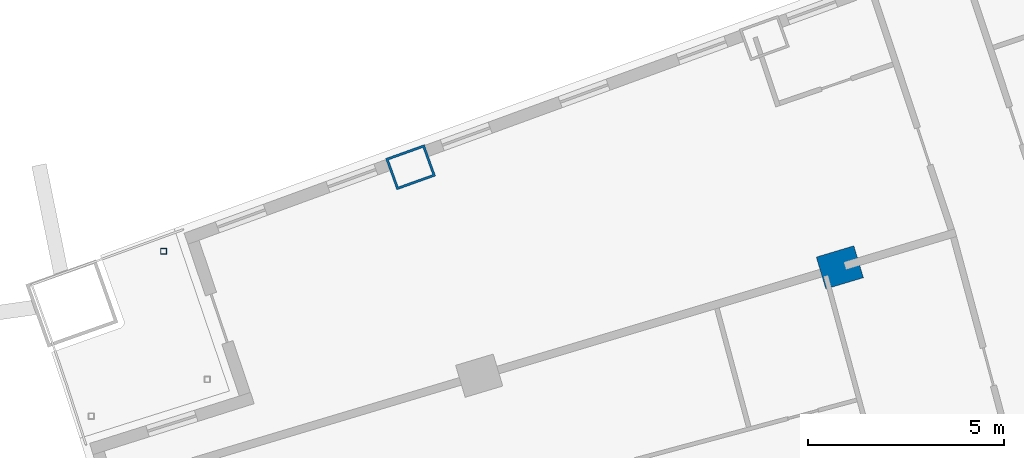
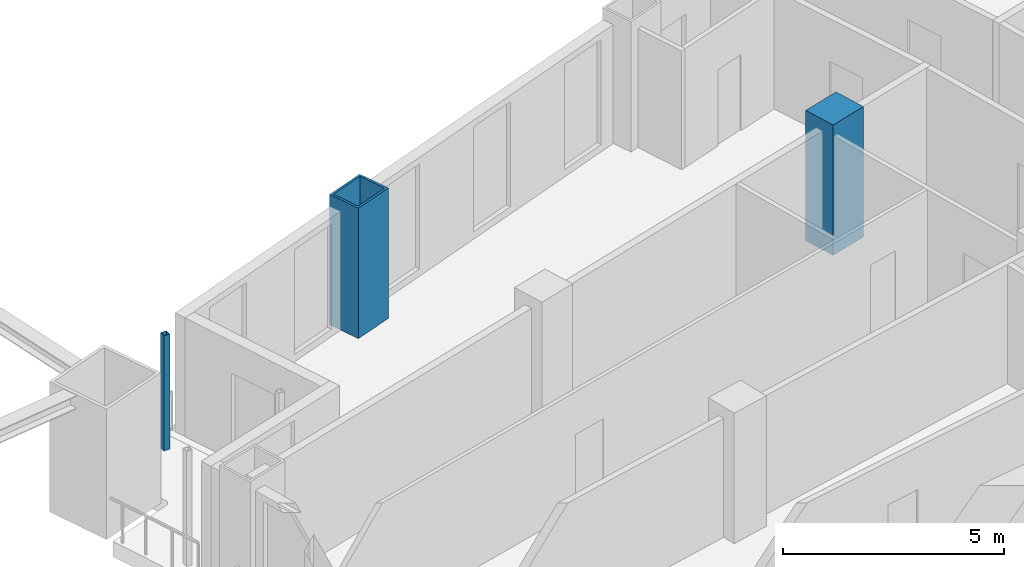
# One storey, part 9 of 25: 3 columns.
"""IFC4 building model written with IfcOpenShell, lengths in metres."""

import ifcopenshell
import ifcopenshell.guid

model = None  # the IFC model being written
_history = None  # IfcOwnerHistory: only IFC2X3 demands one
_inside = {}  # id of a spatial element -> (the spatial element, [elements in it])
_under = {}  # id of a project, library or spatial element -> (it, [spatial elements below it])
_declared = {}  # id of a project -> (the project, [libraries it declares])
_typed = {}  # id of a type object -> (the type object, [elements of that type])
_made_of = {}  # id of a material, layer set ... -> (it, [elements and type objects made of it])


def new_model(schema):
    """Start an empty IFC model of exactly this schema.

    Asked for "IFC4X3", IfcOpenShell would pick the latest addendum, in which some entities
    have other attributes; the version numbers below select the first issue.
    IFC2X3 requires an IfcOwnerHistory on every rooted entity: one is made here for all.
    """
    global model, _history
    if schema == "IFC4X3":
        model = ifcopenshell.file(schema_version=(4, 3, 0, 0))
    else:
        model = ifcopenshell.file(schema=schema)
    _inside.clear()
    _under.clear()
    _declared.clear()
    _typed.clear()
    _made_of.clear()
    _history = None
    if model.schema == "IFC2X3":
        org = make("IfcOrganization", Name="unknown")
        user = make(
            "IfcPersonAndOrganization",
            ThePerson=make("IfcPerson", FamilyName="unknown"),
            TheOrganization=org,
        )
        app = make(
            "IfcApplication",
            ApplicationDeveloper=org,
            Version="unknown",
            ApplicationFullName="unknown",
            ApplicationIdentifier="unknown",
        )
        _history = make(
            "IfcOwnerHistory",
            OwningUser=user,
            OwningApplication=app,
            ChangeAction="ADDED",
            CreationDate=0,
        )
    return model


def make(cls, **values):
    """One entity of the class cls with the attributes given. An attribute that is None is left unset."""
    return model.create_entity(
        cls, **{name: value for name, value in values.items() if value is not None}
    )


def rooted(cls, **values):
    """An entity with a GlobalId (a new one), such as an element, a storey or a relation."""
    return make(cls, GlobalId=ifcopenshell.guid.new(), OwnerHistory=_history, **values)


def si_unit(unit_type, name, prefix=None):
    """IfcSIUnit, for example si_unit("LENGTHUNIT", "METRE", prefix="MILLI")."""
    return make("IfcSIUnit", UnitType=unit_type, Prefix=prefix, Name=name)


def assignment(units):
    """IfcUnitAssignment: the units of a project."""
    return None if units is None else make("IfcUnitAssignment", Units=units)


def point(xyz):
    """IfcCartesianPoint."""
    return None if xyz is None else make("IfcCartesianPoint", Coordinates=xyz)


def direction(xyz):
    """IfcDirection."""
    return None if xyz is None else make("IfcDirection", DirectionRatios=xyz)


def frame(location, z_axis=None, x_axis=None):
    """IfcAxis2Placement3D, a coordinate frame: its origin and axes. An axis left out is left unset."""
    return make(
        "IfcAxis2Placement3D",
        Location=point(location),
        Axis=direction(z_axis),
        RefDirection=direction(x_axis),
    )


def frame_2d(location, x_axis=None):
    """IfcAxis2Placement2D, a coordinate frame in the plane: its origin and x axis."""
    return make(
        "IfcAxis2Placement2D", Location=point(location), RefDirection=direction(x_axis)
    )


def origin():
    """The frame at (0, 0, 0) with its axes left unset."""
    return frame((0.0, 0.0, 0.0))


def origin_2d():
    """The frame at (0, 0) in the plane with its x axis left unset."""
    return frame_2d((0.0, 0.0))


def place(relative_to, where):
    """IfcLocalPlacement: puts the frame where relative to a parent placement (None: the world)."""
    return make(
        "IfcLocalPlacement", PlacementRelTo=relative_to, RelativePlacement=where
    )


def context(
    kind, dimensions, precision=None, world=None, true_north=None, identifier=None
):
    """IfcGeometricRepresentationContext, for example the 3D "Model" context."""
    return make(
        "IfcGeometricRepresentationContext",
        ContextIdentifier=identifier,
        ContextType=kind,
        CoordinateSpaceDimension=dimensions,
        Precision=precision,
        WorldCoordinateSystem=world,
        TrueNorth=true_north,
    )


def subcontext(parent, identifier, kind, view, scale=None):
    """IfcGeometricRepresentationSubContext, for example "Body" below "Model"."""
    return make(
        "IfcGeometricRepresentationSubContext",
        ContextIdentifier=identifier,
        ContextType=kind,
        ParentContext=parent,
        TargetScale=scale,
        TargetView=view,
    )


def project(units=None, contexts=None):
    """IfcProject with its units and contexts."""
    return rooted(
        "IfcProject",
        Name="project",
        RepresentationContexts=contexts,
        UnitsInContext=assignment(units),
    )


def spatial(cls, under=None, at=None, **own):
    """A site, building, storey or space (cls), placed at a placement, below another one or the project."""
    s = rooted(cls, ObjectPlacement=at, **own)
    if under is not None:
        _under.setdefault(under.id(), (under, []))[1].append(s)
    return s


def profile(cls, at=None, kind="AREA", **sizes):
    """A parametric profile (cls). Its sizes go by their IFC names, for example OverallWidth=200.0."""
    return make(cls, ProfileType=kind, Position=at, **sizes)


def rectangle(**sizes):
    """IfcRectangleProfileDef."""
    return profile("IfcRectangleProfileDef", **sizes)


def hollow_rectangle(**sizes):
    """IfcRectangleHollowProfileDef."""
    return profile("IfcRectangleHollowProfileDef", **sizes)


def extrude(swept, where, along, depth):
    """IfcExtrudedAreaSolid: the profile swept, set in the frame where, extruded along a direction by depth."""
    return make(
        "IfcExtrudedAreaSolid",
        SweptArea=swept,
        Position=where,
        ExtrudedDirection=direction(along),
        Depth=depth,
    )


def shape(context_of_items, identifier, shape_type, items):
    """IfcShapeRepresentation: the items that make up one representation, for example the "Body"."""
    return make(
        "IfcShapeRepresentation",
        ContextOfItems=context_of_items,
        RepresentationIdentifier=identifier,
        RepresentationType=shape_type,
        Items=items,
    )


def material(Name=None, Category=None):
    """IfcMaterial."""
    return make("IfcMaterial", Name=Name, Category=Category)


def material_profile(
    of_material, cross_section, Name=None, Category=None, Priority=None
):
    """IfcMaterialProfile: a cross section and its material."""
    return make(
        "IfcMaterialProfile",
        Name=Name,
        Material=of_material,
        Profile=cross_section,
        Priority=Priority,
        Category=Category,
    )


def profile_set(profiles, Name=None, composite=None):
    """IfcMaterialProfileSet."""
    return make(
        "IfcMaterialProfileSet",
        Name=Name,
        MaterialProfiles=profiles,
        CompositeProfile=composite,
    )


def made_of(thing, what):
    """Note that an element or type object is made of a material, layer set ...; save() writes the relation."""
    if what is not None:
        _made_of.setdefault(what.id(), (what, []))[1].append(thing)
    return thing


def type_object(cls, material=None, **own):
    """A type object (cls), such as IfcWallType, which elements share."""
    return made_of(rooted(cls, **own), material)


def element(
    cls,
    number,
    at=None,
    inside=None,
    cuts=None,
    type_object=None,
    material=None,
    context=None,
    identifier="Body",
    shape_type=None,
    held_by="IfcProductDefinitionShape",
    body=None,
    shapes=None,
    **own,
):
    """One element of the class cls, such as IfcWall. Its Tag is "e" and its number.

    at: its placement. inside: the storey or other place that contains it. cuts: it is an
    opening in that element (IfcRelVoidsElement). A single representation is given by context,
    identifier, shape_type and body (its items); several are given by shapes. held_by: the class
    of the entity that holds the representations. save() writes the other relations.
    """
    e = rooted(cls, Tag="e%d" % number, ObjectPlacement=at, **own)
    if body is not None:
        shapes = [shape(context, identifier, shape_type, body)]
    if shapes is not None:
        e.Representation = make(held_by, Representations=shapes)
    if inside is not None:
        _inside.setdefault(inside.id(), (inside, []))[1].append(e)
    if cuts is not None:
        rooted(
            "IfcRelVoidsElement", RelatingBuildingElement=cuts, RelatedOpeningElement=e
        )
    if type_object is not None:
        _typed.setdefault(type_object.id(), (type_object, []))[1].append(e)
    return made_of(e, material)


def aggregate(whole, parts):
    """IfcRelAggregates: a whole, such as a stair, and the parts it consists of."""
    return rooted("IfcRelAggregates", RelatingObject=whole, RelatedObjects=parts)


def save(model, path):
    """Write the relations noted so far, then the file.

    IfcRelAggregates (storeys below a building ...), IfcRelContainedInSpatialStructure (elements
    in a storey), IfcRelDefinesByType, IfcRelAssociatesMaterial and IfcRelDeclares: one each for
    every whole, place, type object, material and project.
    """
    for whole, parts in _under.values():
        aggregate(whole, parts)
    for where, things in _inside.values():
        rooted(
            "IfcRelContainedInSpatialStructure",
            RelatedElements=things,
            RelatingStructure=where,
        )
    for kind, things in _typed.values():
        rooted("IfcRelDefinesByType", RelatedObjects=things, RelatingType=kind)
    for what, things in _made_of.values():
        rooted("IfcRelAssociatesMaterial", RelatedObjects=things, RelatingMaterial=what)
    for by, libraries in _declared.values():
        rooted("IfcRelDeclares", RelatingContext=by, RelatedDefinitions=libraries)
    model.write(path)


model = new_model("IFC4")

# Units and contexts
model_context = context("Model", 3, precision=1e-05, world=origin(), true_north=direction((0.0, 1.0)))
body_context = subcontext(model_context, "Body", "Model", "MODEL_VIEW")
ifc_project = project(units=[si_unit("LENGTHUNIT", "METRE"), si_unit("AREAUNIT", "SQUARE_METRE"), si_unit("VOLUMEUNIT", "CUBIC_METRE"), si_unit("PLANEANGLEUNIT", "RADIAN"), si_unit("MASSUNIT", "GRAM", prefix="KILO")], contexts=[model_context])

# Site, building, storey
site_placement = place(None, origin())
site = spatial("IfcSite", under=ifc_project, at=site_placement, CompositionType="ELEMENT")
building_placement = place(site_placement, origin())
building = spatial("IfcBuilding", under=site, at=building_placement, Name="Alderwake Tower", CompositionType="ELEMENT")
storey_placement = place(building_placement, frame((0.0, 0.0, 122.0)))
storey = spatial("IfcBuildingStorey", under=building, at=storey_placement, Name="L30", CompositionType="ELEMENT", Elevation=122.0)

# Columns
ifc_material_1 = material(Name="Steel ASTM A572 Grade 50 concrete filled C70/85", Category="concrete")
ifc_material_profile_1 = material_profile(ifc_material_1, hollow_rectangle(XDim=0.85009765625, YDim=1.050048828125, WallThickness=0.06005859375, at=origin_2d()), Name="BOX 1050X850X60")
ifc_profile_set_1 = profile_set([ifc_material_profile_1], Name="Steel ASTM A572 Grade 50 concrete filled C70/85")
column_type_1 = type_object("IfcColumnType", Name="End column Z2", PredefinedType="COLUMN", material=ifc_profile_set_1)
column_1_placement = place(storey_placement, frame((19.965576171875, 96.8515625, 0.0), z_axis=(0.0, 0.0, 1.0), x_axis=(-0.337584879279, 0.9412950915, 0.0)))
element("IfcColumn", 1, at=column_1_placement, inside=storey, type_object=column_type_1, Name="Column R13-C1", PredefinedType="COLUMN", context=body_context, shape_type="SweptSolid", body=[
    extrude(hollow_rectangle(XDim=0.85009765625, YDim=1.050048828125, WallThickness=0.06005859375, at=origin_2d()), origin(), (0.0, 0.0, 1.0), 3.60009765625),
])
ifc_material_2 = material(Name="Concrete C70/85", Category="concrete")
ifc_material_profile_2 = material_profile(ifc_material_2, rectangle(XDim=0.85009765625, YDim=1.0, at=origin_2d()), Name="RC 1000X850")
ifc_profile_set_2 = profile_set([ifc_material_profile_2], Name="Concrete C70/85")
column_type_2 = type_object("IfcColumnType", Name="Interior column Z2", PredefinedType="COLUMN", material=ifc_profile_set_2)
column_2_placement = place(storey_placement, frame((30.9091796875, 94.298095703125, 0.0), z_axis=(0.0, 0.0, 1.0), x_axis=(-0.287549418125, 0.957765802342, 0.0)))
element("IfcColumn", 2, at=column_2_placement, inside=storey, type_object=column_type_2, Name="Column R12-C2", PredefinedType="COLUMN", context=body_context, shape_type="SweptSolid", body=[
    extrude(rectangle(XDim=0.85009765625, YDim=1.0, at=origin_2d()), origin(), (0.0, 0.0, 1.0), 3.60009765625),
])
ifc_material_3 = material(Name="Steel ASTM A500 Grade C", Category="steel")
ifc_material_profile_3 = material_profile(ifc_material_3, hollow_rectangle(XDim=0.15234375, YDim=0.15234375, WallThickness=0.0087890625, at=origin_2d()), Name="HSS6X6X3/8")
ifc_profile_set_3 = profile_set([ifc_material_profile_3], Name="Steel ASTM A500 Grade C")
column_type_3 = type_object("IfcColumnType", Name="Light post HSS6X6X3/8", PredefinedType="COLUMN", material=ifc_profile_set_3)
column_3_placement = place(storey_placement, frame((13.66796875, 94.71240234375, 0.0), z_axis=(0.0, 0.0, 1.0), x_axis=(1.0, 0.0, 0.0)))
element("IfcColumn", 3, at=column_3_placement, inside=storey, type_object=column_type_3, Name="Terrace post RN2", PredefinedType="COLUMN", context=body_context, shape_type="SweptSolid", body=[
    extrude(hollow_rectangle(XDim=0.15234375, YDim=0.15234375, WallThickness=0.0087890625, at=origin_2d()), origin(), (0.0, 0.0, 1.0), 3.179931640625),
])

save(model, "model.ifc")
